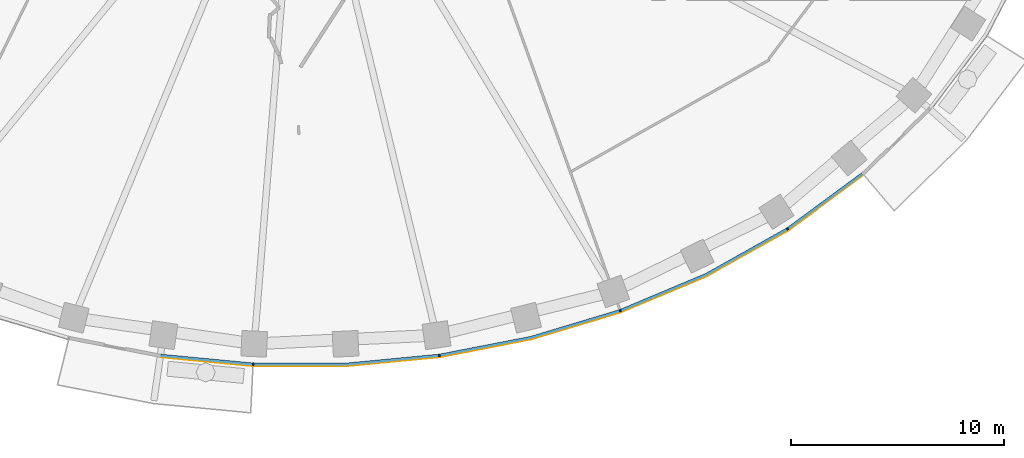
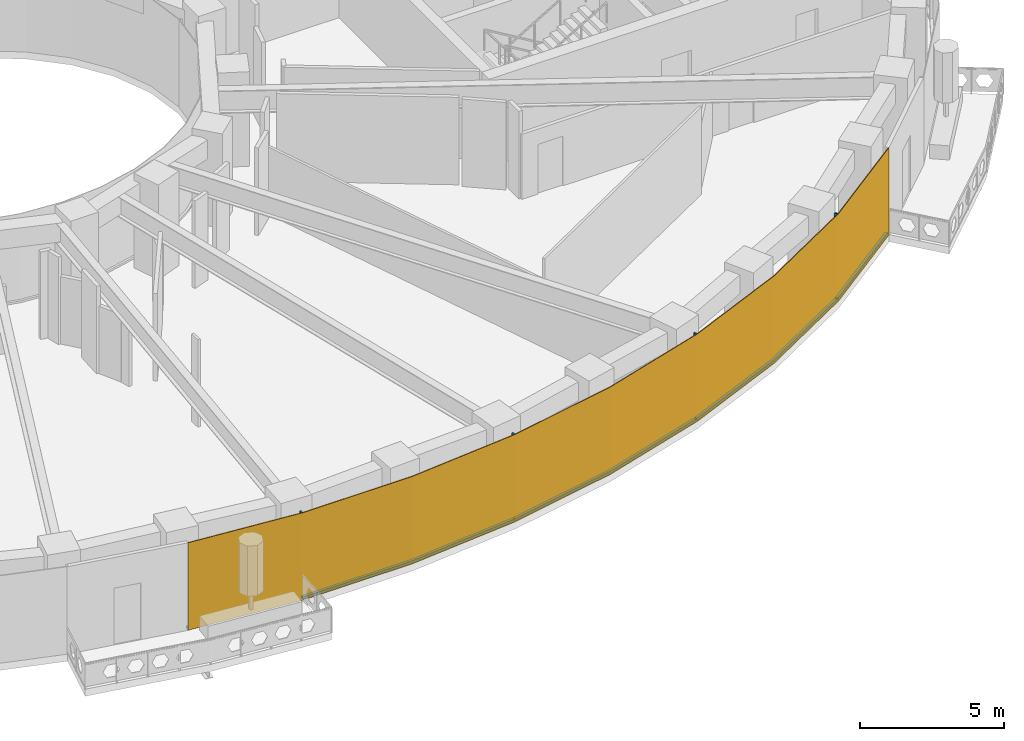
# One storey, part 9 of 16: 9 members, 1 curtain wall.
"""IFC4 building model written with IfcOpenShell, lengths in metres."""

from ifc_helpers import new_model, si_unit, direction, frame, origin, origin_2d, place, context, subcontext, project, spatial, polyline, rectangle, outline, extrude, material, layer, layer_set, material_profile, profile_set, type_object, element, aggregate, save


model = new_model("IFC4")

# Units and contexts
model_context = context("Model", 3, precision=1e-05, world=origin(), true_north=direction((0.0, 1.0)))
body_context = subcontext(model_context, "Body", "Model", "MODEL_VIEW")
ifc_project = project(units=[si_unit("LENGTHUNIT", "METRE"), si_unit("AREAUNIT", "SQUARE_METRE"), si_unit("VOLUMEUNIT", "CUBIC_METRE"), si_unit("PLANEANGLEUNIT", "RADIAN"), si_unit("MASSUNIT", "GRAM", prefix="KILO")], contexts=[model_context])

# Member
ifc_material_1 = material(Name="Aluminium 6063-T6 black anodised", Category="aluminium")
ifc_material_profile = material_profile(ifc_material_1, rectangle(XDim=0.1201171875, YDim=0.06005859375, at=origin_2d()), Name="120x60")
ifc_profile_set = profile_set([ifc_material_profile], Name="Aluminium 6063-T6 black anodised")
member_type_1 = type_object("IfcMemberType", Name="ENV-MULLION-A-120", PredefinedType="MULLION", material=ifc_profile_set)
site_placement = place(None, origin())
building_placement = place(site_placement, origin())
storey_placement = place(building_placement, frame((0.0, 0.0, 154.0)))
member_1_placement = place(storey_placement, frame((-2.188720703125, -27.856201171875, 0.0), z_axis=(0.0, 0.0, 1.0), x_axis=(0.047557873581, 0.998868484166, 0.0)))
member_1 = element("IfcMember", 1, at=member_1_placement, type_object=member_type_1, Name="Mullion A radial 35", PredefinedType="MULLION", context=body_context, shape_type="SweptSolid", body=[
    extrude(rectangle(XDim=0.1201171875, YDim=0.06005859375, at=origin_2d()), origin(), (0.0, 0.0, 1.0), 3.699951171875),
])

member_2_placement = place(storey_placement, frame((6.54638671875, -27.440185546875, 0.0), z_axis=(0.0, 0.0, 1.0), x_axis=(-0.143082012705, 0.989710835366, 0.0)))
member_2 = element("IfcMember", 2, at=member_2_placement, type_object=member_type_1, Name="Mullion A radial 37", PredefinedType="MULLION", context=body_context, shape_type="SweptSolid", body=[
    extrude(rectangle(XDim=0.1201171875, YDim=0.06005859375, at=origin_2d()), origin(), (0.0, 0.0, 1.0), 3.699951171875),
])

member_3_placement = place(storey_placement, frame((15.0341796875, -25.34375, 0.0), z_axis=(0.0, 0.0, 1.0), x_axis=(-0.338379256581, 0.941009818608, 0.0)))
member_3 = element("IfcMember", 3, at=member_3_placement, type_object=member_type_1, Name="Mullion A radial 39", PredefinedType="MULLION", context=body_context, shape_type="SweptSolid", body=[
    extrude(rectangle(XDim=0.1201171875, YDim=0.06005859375, at=origin_2d()), origin(), (0.0, 0.0, 1.0), 3.699951171875),
])

member_4_placement = place(storey_placement, frame((22.882568359375, -21.506591796875, 0.0), z_axis=(0.0, 0.0, 1.0), x_axis=(-0.542279153225, 0.840198381323, 0.0)))
member_4 = element("IfcMember", 4, at=member_4_placement, type_object=member_type_1, Name="Mullion A radial 41", PredefinedType="MULLION", context=body_context, shape_type="SweptSolid", body=[
    extrude(rectangle(XDim=0.1201171875, YDim=0.06005859375, at=origin_2d()), origin(), (0.0, 0.0, 1.0), 3.699951171875),
])

ifc_material_2 = material(Name="Aluminium 6063-T6 black anodised", Category="aluminium")
member_type_2 = type_object("IfcMemberType", Name="ENV-TRANSOM-A", PredefinedType="USERDEFINED", material=ifc_material_2)
member_5_placement = place(storey_placement, origin())
member_5 = element("IfcMember", 5, at=member_5_placement, type_object=member_type_2, Name="Transom A radial 34-35", ObjectType="TRANSOM", PredefinedType="USERDEFINED", context=body_context, shape_type="SweptSolid", body=[
    extrude(outline(polyline([(-6.53515625, -27.50146484375), (-2.219482421875, -27.913330078125), (-2.2138671875, -27.793212890625), (-6.51806640625, -27.382568359375), (-6.53515625, -27.50146484375)])), origin(), (0.0, 0.0, 1.0), 0.10009765625),
])

member_6_placement = place(storey_placement, origin())
member_6 = element("IfcMember", 6, at=member_6_placement, type_object=member_type_2, Name="Transom A radial 35-37", ObjectType="TRANSOM", PredefinedType="USERDEFINED", context=body_context, shape_type="SweptSolid", body=[
    extrude(outline(polyline([(-2.163818359375, -27.916015625), (2.191650390625, -27.916015625), (6.527099609375, -27.502197265625), (6.510009765625, -27.38330078125), (2.185791015625, -27.7958984375), (-2.157958984375, -27.7958984375), (-2.163818359375, -27.916015625)])), origin(), (0.0, 0.0, 1.0), 0.10009765625),
])

member_7_placement = place(storey_placement, origin())
member_7 = element("IfcMember", 7, at=member_7_placement, type_object=member_type_2, Name="Transom A radial 37-39", ObjectType="TRANSOM", PredefinedType="USERDEFINED", context=body_context, shape_type="SweptSolid", body=[
    extrude(outline(polyline([(6.58251953125, -27.494140625), (10.857666015625, -26.6630859375), (15.027587890625, -25.408203125), (14.987060546875, -25.295166015625), (10.828857421875, -26.54638671875), (6.5654296875, -27.375244140625), (6.58251953125, -27.494140625)])), origin(), (0.0, 0.0, 1.0), 0.10009765625),
])

member_8_placement = place(storey_placement, origin())
member_8 = element("IfcMember", 8, at=member_8_placement, type_object=member_type_2, Name="Transom A radial 39-41", ObjectType="TRANSOM", PredefinedType="USERDEFINED", context=body_context, shape_type="SweptSolid", body=[
    extrude(outline(polyline([(15.080322265625, -25.389404296875), (19.093994140625, -23.701416015625), (22.890625, -21.570556640625), (22.825439453125, -21.469482421875), (19.041259765625, -23.593505859375), (15.03955078125, -25.276123046875), (15.080322265625, -25.389404296875)])), origin(), (0.0, 0.0, 1.0), 0.10009765625),
])

member_9_placement = place(storey_placement, origin())
member_9 = element("IfcMember", 9, at=member_9_placement, type_object=member_type_2, Name="Transom A radial 41-42", ObjectType="TRANSOM", PredefinedType="USERDEFINED", context=body_context, shape_type="SweptSolid", body=[
    extrude(outline(polyline([(22.937744140625, -21.540283203125), (26.42626953125, -18.970703125), (26.348388671875, -18.87890625), (22.87255859375, -21.439208984375), (22.937744140625, -21.540283203125)])), origin(), (0.0, 0.0, 1.0), 0.10009765625),
])

# Site, building, storey
site = spatial("IfcSite", under=ifc_project, at=site_placement, CompositionType="ELEMENT")
building = spatial("IfcBuilding", under=site, at=building_placement, Name="Noorbagh Ring Tower", CompositionType="ELEMENT")
storey = spatial("IfcBuildingStorey", under=building, at=storey_placement, Name="L35", CompositionType="ELEMENT", Elevation=154.0)

# Curtain wall
ifc_material_3 = material(Name="Glass dark tinted laminated", Category="glass")
ifc_layer = layer(ifc_material_3, 0.031982421875)
ifc_layer_set = layer_set([ifc_layer], Name="Glass dark tinted laminated")
curtain_wall_type = type_object("IfcCurtainWallType", Name="ENV-CW-A", PredefinedType="NOTDEFINED", material=ifc_layer_set)
curtain_wall_placement = place(storey_placement, origin())
curtain_wall = element("IfcCurtainWall", 10, at=curtain_wall_placement, inside=storey, type_object=curtain_wall_type, Name="Curtain wall A R34", PredefinedType="NOTDEFINED", context=body_context, shape_type="SweptSolid", body=[
    extrude(outline(polyline([(-6.539794921875, -27.533203125), (-2.193115234375, -27.947998046875), (2.193115234375, -27.947998046875), (6.559814453125, -27.53125), (10.865234375, -26.6943359375), (15.065185546875, -25.430419921875), (19.108154296875, -23.730224609375), (22.9326171875, -21.583740234375), (26.447021484375, -18.9951171875), (26.42626953125, -18.970703125), (22.9150390625, -21.556884765625), (19.093994140625, -23.701416015625), (15.054443359375, -25.400146484375), (10.857666015625, -26.6630859375), (6.55517578125, -27.49951171875), (2.191650390625, -27.916015625), (-2.191650390625, -27.916015625), (-6.53515625, -27.50146484375), (-6.539794921875, -27.533203125)])), origin(), (0.0, 0.0, 1.0), 3.699951171875),
])

aggregate(curtain_wall, [member_1, member_2, member_3, member_4, member_5, member_6, member_7, member_8, member_9])

save(model, "model.ifc")
